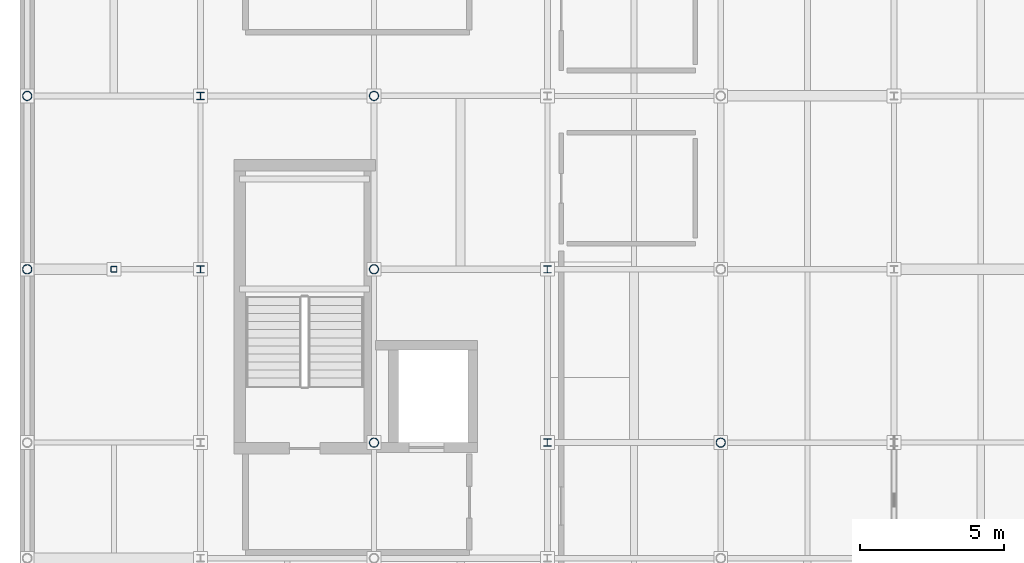
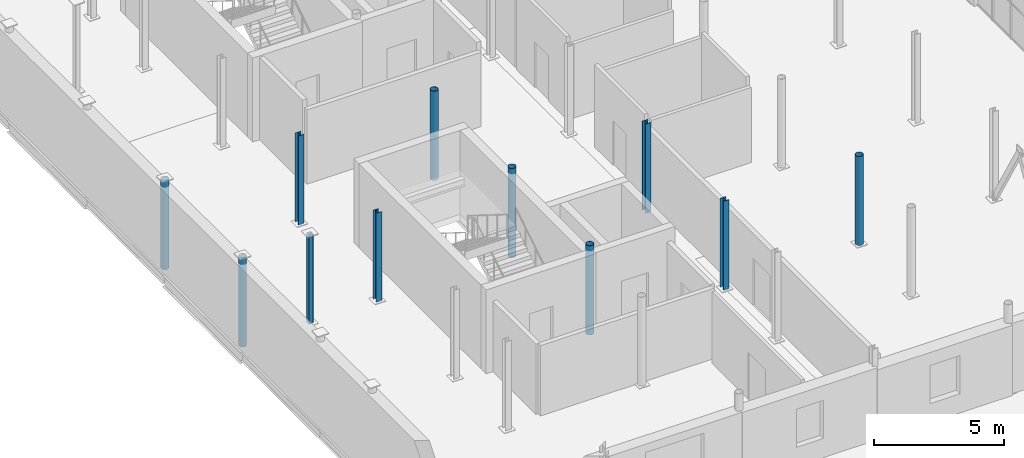
# One storey, part 3 of 30: 11 columns.
"""IFC4 building model written with IfcOpenShell, lengths in metres."""

from ifc_helpers import new_model, si_unit, direction, frame, origin, origin_2d, place, context, subcontext, project, spatial, hollow_rectangle, hollow_circle, i_section, extrude, material, material_profile, profile_set, type_object, element, save


model = new_model("IFC4")

# Units and contexts
model_context = context("Model", 3, precision=1e-05, world=origin(), true_north=direction((0.0, 1.0)))
body_context = subcontext(model_context, "Body", "Model", "MODEL_VIEW")
ifc_project = project(units=[si_unit("LENGTHUNIT", "METRE"), si_unit("AREAUNIT", "SQUARE_METRE"), si_unit("VOLUMEUNIT", "CUBIC_METRE"), si_unit("PLANEANGLEUNIT", "RADIAN"), si_unit("MASSUNIT", "GRAM", prefix="KILO")], contexts=[model_context])

# Site, building, storey
site_placement = place(None, origin())
site = spatial("IfcSite", under=ifc_project, at=site_placement, CompositionType="ELEMENT")
building_placement = place(site_placement, origin())
building = spatial("IfcBuilding", under=site, at=building_placement, Name="Verrall Gate Interchange", CompositionType="ELEMENT")
storey_placement = place(building_placement, frame((0.0, 0.0, 19.39990234375)))
storey = spatial("IfcBuildingStorey", under=building, at=storey_placement, Name="L05", CompositionType="ELEMENT", Elevation=19.39990234375)

# Columns
ifc_material_1 = material(Name="Structural Steel CSA G40.21 350W", Category="steel")
ifc_material_profile_1 = material_profile(ifc_material_1, i_section(OverallWidth=0.25390625, OverallDepth=0.2529296875, WebThickness=0.008544921875, FlangeThickness=0.01416015625, FilletRadius=0.011962890625, at=origin_2d()), Name="W250x73")
ifc_profile_set_1 = profile_set([ifc_material_profile_1], Name="Structural Steel CSA G40.21 350W")
column_type_1 = type_object("IfcColumnType", Name="C-11 Column W250x73", PredefinedType="COLUMN", material=ifc_profile_set_1)
for number, where, z_axis, x_axis, name in (
    (1, (6.0, 22.0, 0.0), (0.0, 0.0, 1.0), (1.0, 0.0, 0.0), "L05 Column COL-L05-0169 (C-11)"),
    (2, (6.0, 28.0, 0.0), (0.0, 0.0, 1.0), (1.0, 0.0, 0.0), "L05 Column COL-L05-0178 (C-11)"),
    (3, (18.0, 16.0, 0.0), (0.0, 0.0, 1.0), (1.0, 0.0, 0.0), "L05 Column COL-L05-0394 (C-11)"),
    (4, (18.0, 22.0, 0.0), (0.0, 0.0, 1.0), (1.0, 0.0, 0.0), "L05 Column COL-L05-0403 (C-11)"),
):
    element("IfcColumn", number, at=place(storey_placement, frame(where, z_axis=z_axis, x_axis=x_axis)), inside=storey, type_object=column_type_1, Name=name, PredefinedType="COLUMN", context=body_context, shape_type="SweptSolid", body=[
        extrude(i_section(OverallWidth=0.25390625, OverallDepth=0.2529296875, WebThickness=0.008544921875, FlangeThickness=0.01416015625, FilletRadius=0.011962890625, at=origin_2d()), origin(), (0.0, 0.0, 1.0), 4.2001953125),
    ])
ifc_material_2 = material(Name="Structural Steel CSA G40.21 350W", Category="steel")
ifc_material_profile_2 = material_profile(ifc_material_2, hollow_rectangle(XDim=0.202880859375, YDim=0.202880859375, WallThickness=0.009521484375, InnerFilletRadius=0.009521484375, OuterFilletRadius=0.01904296875, at=origin_2d()), Name="HSS203x203x9.5")
ifc_profile_set_2 = profile_set([ifc_material_profile_2], Name="Structural Steel CSA G40.21 350W")
column_type_2 = type_object("IfcColumnType", Name="C-14 Column HSS203x203x9.5", PredefinedType="COLUMN", material=ifc_profile_set_2)
column_placement = place(storey_placement, frame((3.0, 22.0, 0.0), z_axis=(0.0, 0.0, 1.0), x_axis=(1.0, 0.0, 0.0)))
element("IfcColumn", 5, at=column_placement, inside=storey, type_object=column_type_2, Name="L05 Column COL-L05-0114 (C-14)", PredefinedType="COLUMN", context=body_context, shape_type="SweptSolid", body=[
    extrude(hollow_rectangle(XDim=0.202880859375, YDim=0.202880859375, WallThickness=0.009521484375, InnerFilletRadius=0.009521484375, OuterFilletRadius=0.01904296875, at=origin_2d()), origin(), (0.0, 0.0, 1.0), 4.2001953125),
])
ifc_material_3 = material(Name="Structural Steel CSA G40.21 350WT Cat 4", Category="steel")
ifc_material_profile_3 = material_profile(ifc_material_3, hollow_circle(Radius=0.161865234375, WallThickness=0.0126953125, at=origin_2d()), Name="HSS324x13")
ifc_profile_set_3 = profile_set([ifc_material_profile_3], Name="Structural Steel CSA G40.21 350WT Cat 4")
column_type_3 = type_object("IfcColumnType", Name="C-15 Column HSS324x13", PredefinedType="COLUMN", material=ifc_profile_set_3)
for number, where, z_axis, x_axis, name in (
    (6, (0.0, 22.0, 0.0), (0.0, 0.0, 1.0), (1.0, 0.0, 0.0), "L05 Column COL-L05-0036 (C-15)"),
    (7, (0.0, 28.0, 0.0), (0.0, 0.0, 1.0), (1.0, 0.0, 0.0), "L05 Column COL-L05-0043 (C-15)"),
    (8, (12.0, 16.0, 0.0), (0.0, 0.0, 1.0), (1.0, 0.0, 0.0), "L05 Column COL-L05-0277 (C-15)"),
    (9, (12.0, 22.0, 0.0), (0.0, 0.0, 1.0), (1.0, 0.0, 0.0), "L05 Column COL-L05-0286 (C-15)"),
    (10, (12.0, 28.0, 0.0), (0.0, 0.0, 1.0), (1.0, 0.0, 0.0), "L05 Column COL-L05-0295 (C-15)"),
    (11, (24.0, 16.0, 0.0), (0.0, 0.0, 1.0), (1.0, 0.0, 0.0), "L05 Column COL-L05-0511 (C-15)"),
):
    element("IfcColumn", number, at=place(storey_placement, frame(where, z_axis=z_axis, x_axis=x_axis)), inside=storey, type_object=column_type_3, Name=name, PredefinedType="COLUMN", context=body_context, shape_type="SweptSolid", body=[
        extrude(hollow_circle(Radius=0.161865234375, WallThickness=0.0126953125, at=origin_2d()), origin(), (0.0, 0.0, 1.0), 4.2001953125),
    ])

save(model, "model.ifc")
